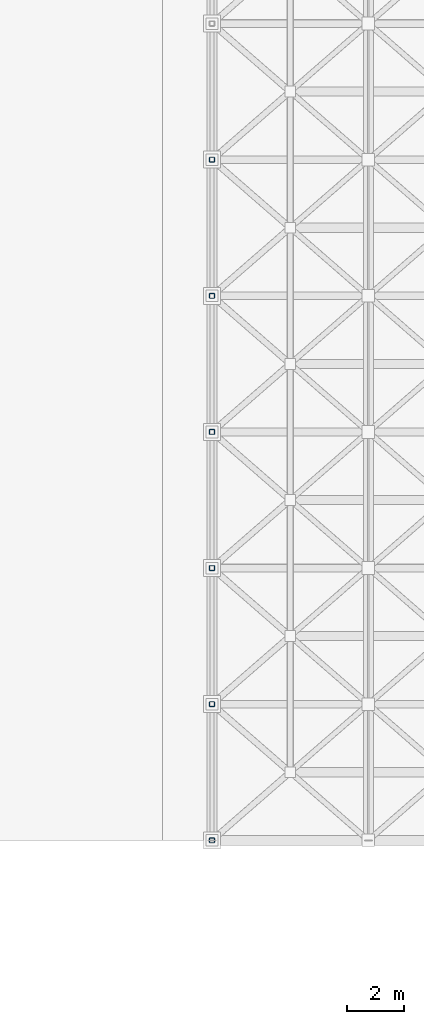
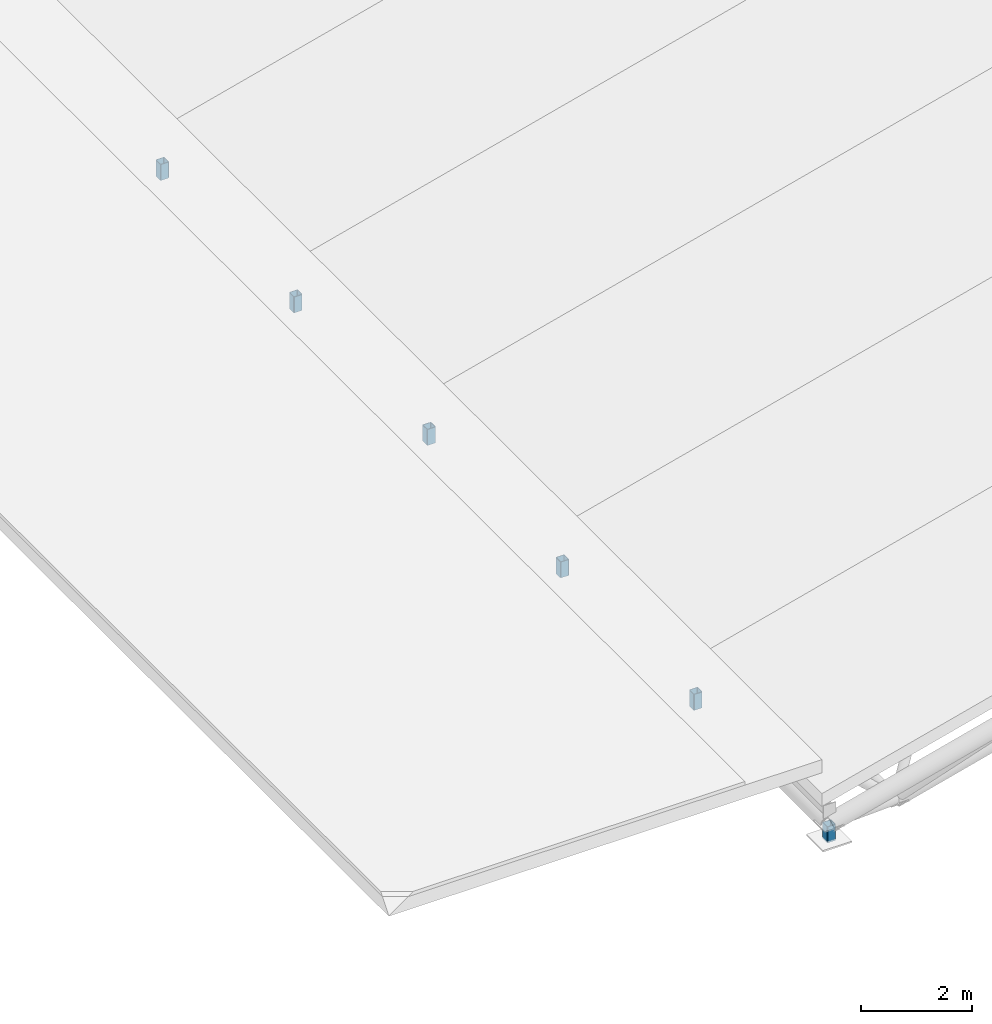
# One storey, part 34 of 60: 6 members.
"""IFC4 building model written with IfcOpenShell, lengths in metres."""

import ifcopenshell
import ifcopenshell.guid

model = None  # the IFC model being written
_history = None  # IfcOwnerHistory: only IFC2X3 demands one
_inside = {}  # id of a spatial element -> (the spatial element, [elements in it])
_under = {}  # id of a project, library or spatial element -> (it, [spatial elements below it])
_declared = {}  # id of a project -> (the project, [libraries it declares])
_typed = {}  # id of a type object -> (the type object, [elements of that type])
_made_of = {}  # id of a material, layer set ... -> (it, [elements and type objects made of it])


def new_model(schema):
    """Start an empty IFC model of exactly this schema.

    Asked for "IFC4X3", IfcOpenShell would pick the latest addendum, in which some entities
    have other attributes; the version numbers below select the first issue.
    IFC2X3 requires an IfcOwnerHistory on every rooted entity: one is made here for all.
    """
    global model, _history
    if schema == "IFC4X3":
        model = ifcopenshell.file(schema_version=(4, 3, 0, 0))
    else:
        model = ifcopenshell.file(schema=schema)
    _inside.clear()
    _under.clear()
    _declared.clear()
    _typed.clear()
    _made_of.clear()
    _history = None
    if model.schema == "IFC2X3":
        org = make("IfcOrganization", Name="unknown")
        user = make(
            "IfcPersonAndOrganization",
            ThePerson=make("IfcPerson", FamilyName="unknown"),
            TheOrganization=org,
        )
        app = make(
            "IfcApplication",
            ApplicationDeveloper=org,
            Version="unknown",
            ApplicationFullName="unknown",
            ApplicationIdentifier="unknown",
        )
        _history = make(
            "IfcOwnerHistory",
            OwningUser=user,
            OwningApplication=app,
            ChangeAction="ADDED",
            CreationDate=0,
        )
    return model


def make(cls, **values):
    """One entity of the class cls with the attributes given. An attribute that is None is left unset."""
    return model.create_entity(
        cls, **{name: value for name, value in values.items() if value is not None}
    )


def rooted(cls, **values):
    """An entity with a GlobalId (a new one), such as an element, a storey or a relation."""
    return make(cls, GlobalId=ifcopenshell.guid.new(), OwnerHistory=_history, **values)


def si_unit(unit_type, name, prefix=None):
    """IfcSIUnit, for example si_unit("LENGTHUNIT", "METRE", prefix="MILLI")."""
    return make("IfcSIUnit", UnitType=unit_type, Prefix=prefix, Name=name)


def assignment(units):
    """IfcUnitAssignment: the units of a project."""
    return None if units is None else make("IfcUnitAssignment", Units=units)


def point(xyz):
    """IfcCartesianPoint."""
    return None if xyz is None else make("IfcCartesianPoint", Coordinates=xyz)


def direction(xyz):
    """IfcDirection."""
    return None if xyz is None else make("IfcDirection", DirectionRatios=xyz)


def frame(location, z_axis=None, x_axis=None):
    """IfcAxis2Placement3D, a coordinate frame: its origin and axes. An axis left out is left unset."""
    return make(
        "IfcAxis2Placement3D",
        Location=point(location),
        Axis=direction(z_axis),
        RefDirection=direction(x_axis),
    )


def frame_2d(location, x_axis=None):
    """IfcAxis2Placement2D, a coordinate frame in the plane: its origin and x axis."""
    return make(
        "IfcAxis2Placement2D", Location=point(location), RefDirection=direction(x_axis)
    )


def origin():
    """The frame at (0, 0, 0) with its axes left unset."""
    return frame((0.0, 0.0, 0.0))


def origin_2d():
    """The frame at (0, 0) in the plane with its x axis left unset."""
    return frame_2d((0.0, 0.0))


def place(relative_to, where):
    """IfcLocalPlacement: puts the frame where relative to a parent placement (None: the world)."""
    return make(
        "IfcLocalPlacement", PlacementRelTo=relative_to, RelativePlacement=where
    )


def context(
    kind, dimensions, precision=None, world=None, true_north=None, identifier=None
):
    """IfcGeometricRepresentationContext, for example the 3D "Model" context."""
    return make(
        "IfcGeometricRepresentationContext",
        ContextIdentifier=identifier,
        ContextType=kind,
        CoordinateSpaceDimension=dimensions,
        Precision=precision,
        WorldCoordinateSystem=world,
        TrueNorth=true_north,
    )


def subcontext(parent, identifier, kind, view, scale=None):
    """IfcGeometricRepresentationSubContext, for example "Body" below "Model"."""
    return make(
        "IfcGeometricRepresentationSubContext",
        ContextIdentifier=identifier,
        ContextType=kind,
        ParentContext=parent,
        TargetScale=scale,
        TargetView=view,
    )


def project(units=None, contexts=None):
    """IfcProject with its units and contexts."""
    return rooted(
        "IfcProject",
        Name="project",
        RepresentationContexts=contexts,
        UnitsInContext=assignment(units),
    )


def spatial(cls, under=None, at=None, **own):
    """A site, building, storey or space (cls), placed at a placement, below another one or the project."""
    s = rooted(cls, ObjectPlacement=at, **own)
    if under is not None:
        _under.setdefault(under.id(), (under, []))[1].append(s)
    return s


def profile(cls, at=None, kind="AREA", **sizes):
    """A parametric profile (cls). Its sizes go by their IFC names, for example OverallWidth=200.0."""
    return make(cls, ProfileType=kind, Position=at, **sizes)


def hollow_rectangle(**sizes):
    """IfcRectangleHollowProfileDef."""
    return profile("IfcRectangleHollowProfileDef", **sizes)


def extrude(swept, where, along, depth):
    """IfcExtrudedAreaSolid: the profile swept, set in the frame where, extruded along a direction by depth."""
    return make(
        "IfcExtrudedAreaSolid",
        SweptArea=swept,
        Position=where,
        ExtrudedDirection=direction(along),
        Depth=depth,
    )


def shape(context_of_items, identifier, shape_type, items):
    """IfcShapeRepresentation: the items that make up one representation, for example the "Body"."""
    return make(
        "IfcShapeRepresentation",
        ContextOfItems=context_of_items,
        RepresentationIdentifier=identifier,
        RepresentationType=shape_type,
        Items=items,
    )


def material(Name=None, Category=None):
    """IfcMaterial."""
    return make("IfcMaterial", Name=Name, Category=Category)


def material_profile(
    of_material, cross_section, Name=None, Category=None, Priority=None
):
    """IfcMaterialProfile: a cross section and its material."""
    return make(
        "IfcMaterialProfile",
        Name=Name,
        Material=of_material,
        Profile=cross_section,
        Priority=Priority,
        Category=Category,
    )


def profile_set(profiles, Name=None, composite=None):
    """IfcMaterialProfileSet."""
    return make(
        "IfcMaterialProfileSet",
        Name=Name,
        MaterialProfiles=profiles,
        CompositeProfile=composite,
    )


def made_of(thing, what):
    """Note that an element or type object is made of a material, layer set ...; save() writes the relation."""
    if what is not None:
        _made_of.setdefault(what.id(), (what, []))[1].append(thing)
    return thing


def type_object(cls, material=None, **own):
    """A type object (cls), such as IfcWallType, which elements share."""
    return made_of(rooted(cls, **own), material)


def element(
    cls,
    number,
    at=None,
    inside=None,
    cuts=None,
    type_object=None,
    material=None,
    context=None,
    identifier="Body",
    shape_type=None,
    held_by="IfcProductDefinitionShape",
    body=None,
    shapes=None,
    **own,
):
    """One element of the class cls, such as IfcWall. Its Tag is "e" and its number.

    at: its placement. inside: the storey or other place that contains it. cuts: it is an
    opening in that element (IfcRelVoidsElement). A single representation is given by context,
    identifier, shape_type and body (its items); several are given by shapes. held_by: the class
    of the entity that holds the representations. save() writes the other relations.
    """
    e = rooted(cls, Tag="e%d" % number, ObjectPlacement=at, **own)
    if body is not None:
        shapes = [shape(context, identifier, shape_type, body)]
    if shapes is not None:
        e.Representation = make(held_by, Representations=shapes)
    if inside is not None:
        _inside.setdefault(inside.id(), (inside, []))[1].append(e)
    if cuts is not None:
        rooted(
            "IfcRelVoidsElement", RelatingBuildingElement=cuts, RelatedOpeningElement=e
        )
    if type_object is not None:
        _typed.setdefault(type_object.id(), (type_object, []))[1].append(e)
    return made_of(e, material)


def aggregate(whole, parts):
    """IfcRelAggregates: a whole, such as a stair, and the parts it consists of."""
    return rooted("IfcRelAggregates", RelatingObject=whole, RelatedObjects=parts)


def save(model, path):
    """Write the relations noted so far, then the file.

    IfcRelAggregates (storeys below a building ...), IfcRelContainedInSpatialStructure (elements
    in a storey), IfcRelDefinesByType, IfcRelAssociatesMaterial and IfcRelDeclares: one each for
    every whole, place, type object, material and project.
    """
    for whole, parts in _under.values():
        aggregate(whole, parts)
    for where, things in _inside.values():
        rooted(
            "IfcRelContainedInSpatialStructure",
            RelatedElements=things,
            RelatingStructure=where,
        )
    for kind, things in _typed.values():
        rooted("IfcRelDefinesByType", RelatedObjects=things, RelatingType=kind)
    for what, things in _made_of.values():
        rooted("IfcRelAssociatesMaterial", RelatedObjects=things, RelatingMaterial=what)
    for by, libraries in _declared.values():
        rooted("IfcRelDeclares", RelatingContext=by, RelatedDefinitions=libraries)
    model.write(path)


model = new_model("IFC4")

# Units and contexts
model_context = context("Model", 3, precision=1e-05, world=origin(), true_north=direction((0.0, 1.0)))
body_context = subcontext(model_context, "Body", "Model", "MODEL_VIEW")
ifc_project = project(units=[si_unit("LENGTHUNIT", "METRE"), si_unit("AREAUNIT", "SQUARE_METRE"), si_unit("VOLUMEUNIT", "CUBIC_METRE"), si_unit("PLANEANGLEUNIT", "RADIAN"), si_unit("MASSUNIT", "GRAM", prefix="KILO")], contexts=[model_context])

# Site, building, storey
site_placement = place(None, origin())
site = spatial("IfcSite", under=ifc_project, at=site_placement, CompositionType="ELEMENT")
building_placement = place(site_placement, origin())
building = spatial("IfcBuilding", under=site, at=building_placement, Name="Nakhvara Creek Congress Hotel", CompositionType="ELEMENT")
storey_placement = place(building_placement, frame((0.0, 0.0, 54.60009765625)))
storey = spatial("IfcBuildingStorey", under=building, at=storey_placement, Name="RL1", CompositionType="ELEMENT", Elevation=54.60009765625)

# Members
ifc_material = material(Name="Steel S355J2H", Category="steel")
ifc_material_profile = material_profile(ifc_material, hollow_rectangle(XDim=0.179931640625, YDim=0.179931640625, WallThickness=0.010009765625, InnerFilletRadius=0.010009765625, OuterFilletRadius=0.02001953125, at=origin_2d()), Name="SHS 180x180x10.0", Category="LoadBearing")
ifc_profile_set = profile_set([ifc_material_profile], Name="Steel S355J2H")
member_type = type_object("IfcMemberType", Name="MEM-STR-SHS180", PredefinedType="STRUT", material=ifc_profile_set)
for number, where, z_axis, x_axis, name in (
    (1, (9.14990234375, 33.60009765625, -35.400146484375), (0.0, 0.0, 1.0), (1.0, 0.0, 0.0), "Congress Roof Truss Bearing Strut 001"),
    (2, (9.14990234375, 38.39990234375, -35.400146484375), (0.0, 0.0, 1.0), (1.0, 0.0, 0.0), "Congress Roof Truss Bearing Strut 010"),
    (3, (9.14990234375, 43.199951171875, -35.400146484375), (0.0, 0.0, 1.0), (1.0, 0.0, 0.0), "Congress Roof Truss Bearing Strut 019"),
    (4, (9.14990234375, 48.0, -35.400146484375), (0.0, 0.0, 1.0), (1.0, 0.0, 0.0), "Congress Roof Truss Bearing Strut 028"),
    (5, (9.14990234375, 52.800048828125, -35.400146484375), (0.0, 0.0, 1.0), (1.0, 0.0, 0.0), "Congress Roof Truss Bearing Strut 037"),
    (6, (9.14990234375, 57.60009765625, -35.400146484375), (0.0, 0.0, 1.0), (1.0, 0.0, 0.0), "Congress Roof Truss Bearing Strut 046"),
):
    element("IfcMember", number, at=place(storey_placement, frame(where, z_axis=z_axis, x_axis=x_axis)), inside=storey, type_object=member_type, Name=name, PredefinedType="STRUT", context=body_context, shape_type="SweptSolid", body=[
        extrude(hollow_rectangle(XDim=0.179931640625, YDim=0.179931640625, WallThickness=0.010009765625, InnerFilletRadius=0.010009765625, OuterFilletRadius=0.02001953125, at=origin_2d()), origin(), (0.0, 0.0, 1.0), 0.35009765625),
    ])

save(model, "model.ifc")
